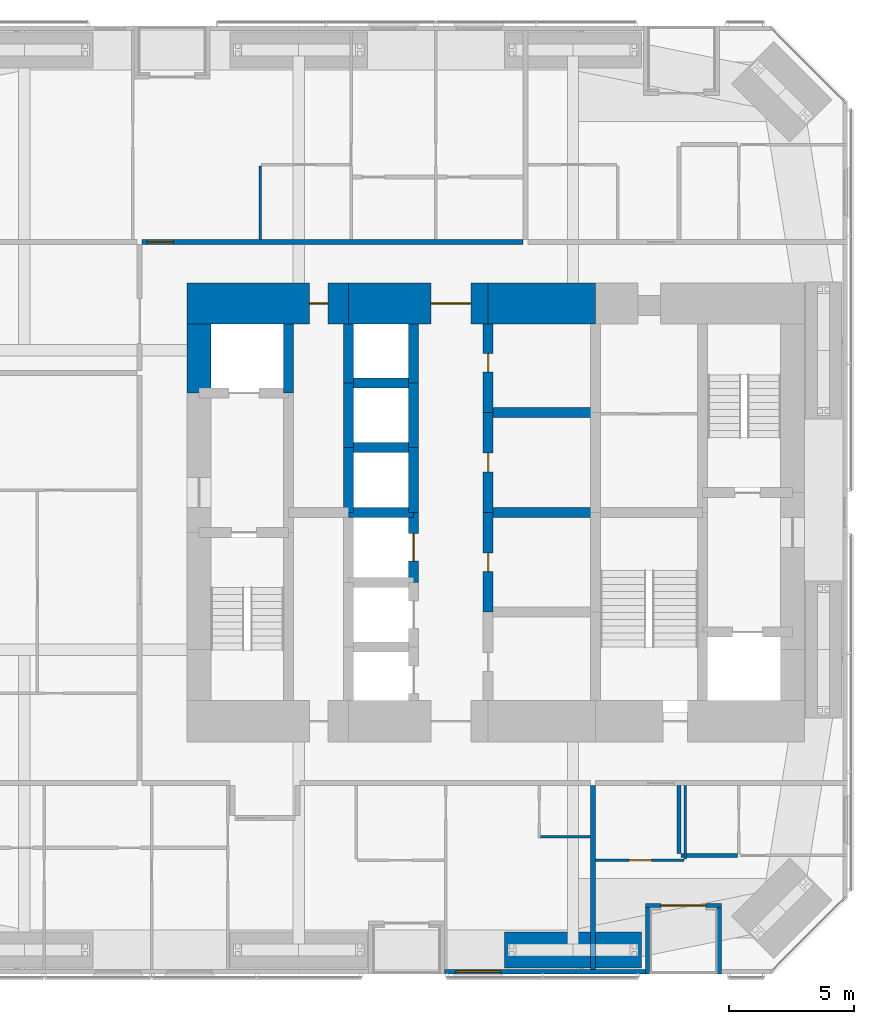
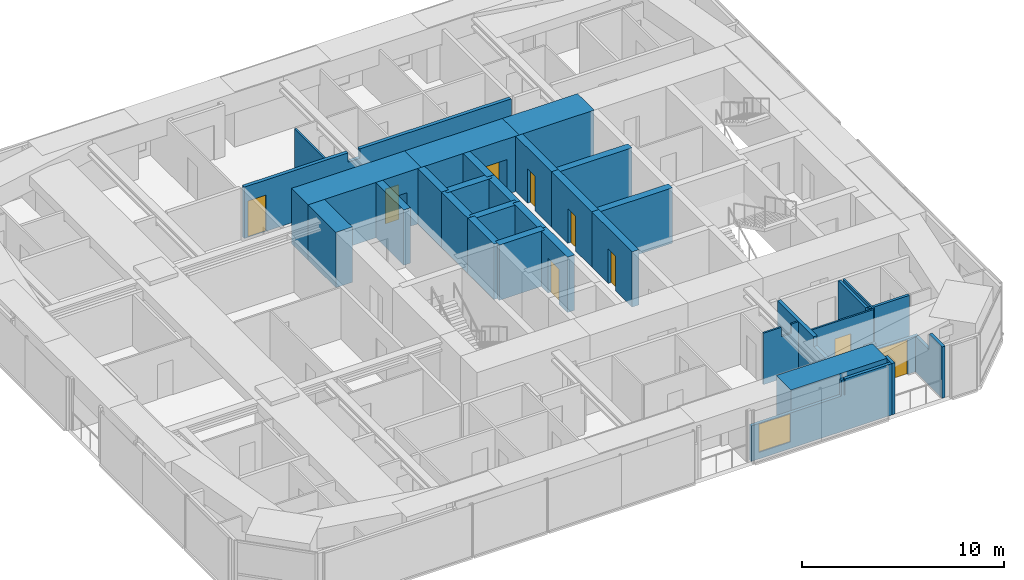
# One storey, part 20 of 24: 34 walls, 9 doors, 1 window, 10 openings.
"""IFC4 building model written with IfcOpenShell, lengths in metres."""

import ifcopenshell
import ifcopenshell.guid

model = None  # the IFC model being written
_history = None  # IfcOwnerHistory: only IFC2X3 demands one
_inside = {}  # id of a spatial element -> (the spatial element, [elements in it])
_under = {}  # id of a project, library or spatial element -> (it, [spatial elements below it])
_declared = {}  # id of a project -> (the project, [libraries it declares])
_typed = {}  # id of a type object -> (the type object, [elements of that type])
_made_of = {}  # id of a material, layer set ... -> (it, [elements and type objects made of it])


def new_model(schema):
    """Start an empty IFC model of exactly this schema.

    Asked for "IFC4X3", IfcOpenShell would pick the latest addendum, in which some entities
    have other attributes; the version numbers below select the first issue.
    IFC2X3 requires an IfcOwnerHistory on every rooted entity: one is made here for all.
    """
    global model, _history
    if schema == "IFC4X3":
        model = ifcopenshell.file(schema_version=(4, 3, 0, 0))
    else:
        model = ifcopenshell.file(schema=schema)
    _inside.clear()
    _under.clear()
    _declared.clear()
    _typed.clear()
    _made_of.clear()
    _history = None
    if model.schema == "IFC2X3":
        org = make("IfcOrganization", Name="unknown")
        user = make(
            "IfcPersonAndOrganization",
            ThePerson=make("IfcPerson", FamilyName="unknown"),
            TheOrganization=org,
        )
        app = make(
            "IfcApplication",
            ApplicationDeveloper=org,
            Version="unknown",
            ApplicationFullName="unknown",
            ApplicationIdentifier="unknown",
        )
        _history = make(
            "IfcOwnerHistory",
            OwningUser=user,
            OwningApplication=app,
            ChangeAction="ADDED",
            CreationDate=0,
        )
    return model


def make(cls, **values):
    """One entity of the class cls with the attributes given. An attribute that is None is left unset."""
    return model.create_entity(
        cls, **{name: value for name, value in values.items() if value is not None}
    )


def rooted(cls, **values):
    """An entity with a GlobalId (a new one), such as an element, a storey or a relation."""
    return make(cls, GlobalId=ifcopenshell.guid.new(), OwnerHistory=_history, **values)


def si_unit(unit_type, name, prefix=None):
    """IfcSIUnit, for example si_unit("LENGTHUNIT", "METRE", prefix="MILLI")."""
    return make("IfcSIUnit", UnitType=unit_type, Prefix=prefix, Name=name)


def assignment(units):
    """IfcUnitAssignment: the units of a project."""
    return None if units is None else make("IfcUnitAssignment", Units=units)


def point(xyz):
    """IfcCartesianPoint."""
    return None if xyz is None else make("IfcCartesianPoint", Coordinates=xyz)


def direction(xyz):
    """IfcDirection."""
    return None if xyz is None else make("IfcDirection", DirectionRatios=xyz)


def frame(location, z_axis=None, x_axis=None):
    """IfcAxis2Placement3D, a coordinate frame: its origin and axes. An axis left out is left unset."""
    return make(
        "IfcAxis2Placement3D",
        Location=point(location),
        Axis=direction(z_axis),
        RefDirection=direction(x_axis),
    )


def frame_2d(location, x_axis=None):
    """IfcAxis2Placement2D, a coordinate frame in the plane: its origin and x axis."""
    return make(
        "IfcAxis2Placement2D", Location=point(location), RefDirection=direction(x_axis)
    )


def origin():
    """The frame at (0, 0, 0) with its axes left unset."""
    return frame((0.0, 0.0, 0.0))


def place(relative_to, where):
    """IfcLocalPlacement: puts the frame where relative to a parent placement (None: the world)."""
    return make(
        "IfcLocalPlacement", PlacementRelTo=relative_to, RelativePlacement=where
    )


def context(
    kind, dimensions, precision=None, world=None, true_north=None, identifier=None
):
    """IfcGeometricRepresentationContext, for example the 3D "Model" context."""
    return make(
        "IfcGeometricRepresentationContext",
        ContextIdentifier=identifier,
        ContextType=kind,
        CoordinateSpaceDimension=dimensions,
        Precision=precision,
        WorldCoordinateSystem=world,
        TrueNorth=true_north,
    )


def subcontext(parent, identifier, kind, view, scale=None):
    """IfcGeometricRepresentationSubContext, for example "Body" below "Model"."""
    return make(
        "IfcGeometricRepresentationSubContext",
        ContextIdentifier=identifier,
        ContextType=kind,
        ParentContext=parent,
        TargetScale=scale,
        TargetView=view,
    )


def project(units=None, contexts=None):
    """IfcProject with its units and contexts."""
    return rooted(
        "IfcProject",
        Name="project",
        RepresentationContexts=contexts,
        UnitsInContext=assignment(units),
    )


def spatial(cls, under=None, at=None, **own):
    """A site, building, storey or space (cls), placed at a placement, below another one or the project."""
    s = rooted(cls, ObjectPlacement=at, **own)
    if under is not None:
        _under.setdefault(under.id(), (under, []))[1].append(s)
    return s


def polyline(points):
    """IfcPolyline through the points."""
    return make("IfcPolyline", Points=[point(p) for p in points])


def profile(cls, at=None, kind="AREA", **sizes):
    """A parametric profile (cls). Its sizes go by their IFC names, for example OverallWidth=200.0."""
    return make(cls, ProfileType=kind, Position=at, **sizes)


def rectangle(**sizes):
    """IfcRectangleProfileDef."""
    return profile("IfcRectangleProfileDef", **sizes)


def outline(outer, holes=None, kind="AREA"):
    """IfcArbitraryClosedProfileDef: a profile drawn as a closed curve; with holes, ...WithVoids."""
    if holes is None:
        return make("IfcArbitraryClosedProfileDef", ProfileType=kind, OuterCurve=outer)
    return make(
        "IfcArbitraryProfileDefWithVoids",
        ProfileType=kind,
        OuterCurve=outer,
        InnerCurves=holes,
    )


def extrude(swept, where, along, depth):
    """IfcExtrudedAreaSolid: the profile swept, set in the frame where, extruded along a direction by depth."""
    return make(
        "IfcExtrudedAreaSolid",
        SweptArea=swept,
        Position=where,
        ExtrudedDirection=direction(along),
        Depth=depth,
    )


def shape(context_of_items, identifier, shape_type, items):
    """IfcShapeRepresentation: the items that make up one representation, for example the "Body"."""
    return make(
        "IfcShapeRepresentation",
        ContextOfItems=context_of_items,
        RepresentationIdentifier=identifier,
        RepresentationType=shape_type,
        Items=items,
    )


def material(Name=None, Category=None):
    """IfcMaterial."""
    return make("IfcMaterial", Name=Name, Category=Category)


def layer(
    of_material, thickness, ventilated=None, Name=None, Category=None, Priority=None
):
    """IfcMaterialLayer: one layer of a wall or slab, of a material (None: an air gap)."""
    return make(
        "IfcMaterialLayer",
        Material=of_material,
        LayerThickness=thickness,
        IsVentilated=ventilated,
        Name=Name,
        Category=Category,
        Priority=Priority,
    )


def layer_set(layers, Name=None):
    """IfcMaterialLayerSet."""
    return make("IfcMaterialLayerSet", MaterialLayers=layers, LayerSetName=Name)


def constituent(of_material, Name=None, Category=None, fraction=None):
    """IfcMaterialConstituent: one of the materials an element consists of."""
    return make(
        "IfcMaterialConstituent",
        Name=Name,
        Material=of_material,
        Fraction=fraction,
        Category=Category,
    )


def constituent_set(constituents=None, Name=None):
    """IfcMaterialConstituentSet."""
    return make(
        "IfcMaterialConstituentSet", Name=Name, MaterialConstituents=constituents
    )


def made_of(thing, what):
    """Note that an element or type object is made of a material, layer set ...; save() writes the relation."""
    if what is not None:
        _made_of.setdefault(what.id(), (what, []))[1].append(thing)
    return thing


def type_object(cls, material=None, **own):
    """A type object (cls), such as IfcWallType, which elements share."""
    return made_of(rooted(cls, **own), material)


def element(
    cls,
    number,
    at=None,
    inside=None,
    cuts=None,
    type_object=None,
    material=None,
    context=None,
    identifier="Body",
    shape_type=None,
    held_by="IfcProductDefinitionShape",
    body=None,
    shapes=None,
    **own,
):
    """One element of the class cls, such as IfcWall. Its Tag is "e" and its number.

    at: its placement. inside: the storey or other place that contains it. cuts: it is an
    opening in that element (IfcRelVoidsElement). A single representation is given by context,
    identifier, shape_type and body (its items); several are given by shapes. held_by: the class
    of the entity that holds the representations. save() writes the other relations.
    """
    e = rooted(cls, Tag="e%d" % number, ObjectPlacement=at, **own)
    if body is not None:
        shapes = [shape(context, identifier, shape_type, body)]
    if shapes is not None:
        e.Representation = make(held_by, Representations=shapes)
    if inside is not None:
        _inside.setdefault(inside.id(), (inside, []))[1].append(e)
    if cuts is not None:
        rooted(
            "IfcRelVoidsElement", RelatingBuildingElement=cuts, RelatedOpeningElement=e
        )
    if type_object is not None:
        _typed.setdefault(type_object.id(), (type_object, []))[1].append(e)
    return made_of(e, material)


def fill(opening, filler):
    """IfcRelFillsElement: the door or window that sits in an opening."""
    return rooted(
        "IfcRelFillsElement",
        RelatingOpeningElement=opening,
        RelatedBuildingElement=filler,
    )


def aggregate(whole, parts):
    """IfcRelAggregates: a whole, such as a stair, and the parts it consists of."""
    return rooted("IfcRelAggregates", RelatingObject=whole, RelatedObjects=parts)


def save(model, path):
    """Write the relations noted so far, then the file.

    IfcRelAggregates (storeys below a building ...), IfcRelContainedInSpatialStructure (elements
    in a storey), IfcRelDefinesByType, IfcRelAssociatesMaterial and IfcRelDeclares: one each for
    every whole, place, type object, material and project.
    """
    for whole, parts in _under.values():
        aggregate(whole, parts)
    for where, things in _inside.values():
        rooted(
            "IfcRelContainedInSpatialStructure",
            RelatedElements=things,
            RelatingStructure=where,
        )
    for kind, things in _typed.values():
        rooted("IfcRelDefinesByType", RelatedObjects=things, RelatingType=kind)
    for what, things in _made_of.values():
        rooted("IfcRelAssociatesMaterial", RelatedObjects=things, RelatingMaterial=what)
    for by, libraries in _declared.values():
        rooted("IfcRelDeclares", RelatingContext=by, RelatedDefinitions=libraries)
    model.write(path)


model = new_model("IFC4")

# Units and contexts
model_context = context("Model", 3, precision=1e-05, world=origin(), true_north=direction((0.0, 1.0)))
body_context = subcontext(model_context, "Body", "Model", "MODEL_VIEW")
ifc_project = project(units=[si_unit("LENGTHUNIT", "METRE"), si_unit("AREAUNIT", "SQUARE_METRE"), si_unit("VOLUMEUNIT", "CUBIC_METRE"), si_unit("PLANEANGLEUNIT", "RADIAN"), si_unit("MASSUNIT", "GRAM", prefix="KILO")], contexts=[model_context])

# Site, building, storey
site_placement = place(None, origin())
site = spatial("IfcSite", under=ifc_project, at=site_placement, CompositionType="ELEMENT")
building_placement = place(site_placement, origin())
building = spatial("IfcBuilding", under=site, at=building_placement, Name="Jalousie Tower", CompositionType="ELEMENT")
storey_placement = place(building_placement, frame((0.0, 0.0, 54.5)))
storey = spatial("IfcBuildingStorey", under=building, at=storey_placement, Name="L14", CompositionType="ELEMENT", Elevation=54.5)

# Walls
ifc_material_1 = material(Name="Concrete block ASTM C90", Category="concrete")
ifc_constituent_1 = constituent(ifc_material_1, Name="Body")
ifc_material_2 = material(Name="Render")
ifc_constituent_2 = constituent(ifc_material_2, Name="Finish")
ifc_constituent_set_1 = constituent_set(constituents=[ifc_constituent_1, ifc_constituent_2])
wall_type_1 = type_object("IfcWallType", Name="BATHROOM WALL 150", PredefinedType="PLUMBINGWALL", material=ifc_constituent_set_1)
wall_1_placement = place(storey_placement, frame((39.324951171875, 4.74658203125, 0.0), z_axis=(0.0, 0.0, 1.0), x_axis=(1.0, 0.0, 0.0)))
element("IfcWall", 1, at=wall_1_placement, inside=storey, type_object=wall_type_1, Name="Bathroom Wall 150 L14", PredefinedType="PLUMBINGWALL", context=body_context, shape_type="SweptSolid", body=[
    extrude(rectangle(XDim=2.275146484375, YDim=0.14990234375, at=frame_2d((1.1376953125, 0.0))), origin(), (0.0, 0.0, 1.0), 3.110107421875),
])
wall_2_placement = place(storey_placement, frame((39.25, 4.82177734375, 0.0), z_axis=(0.0, 0.0, 1.0), x_axis=(0.0, 1.0, 0.0)))
element("IfcWall", 2, at=wall_2_placement, inside=storey, type_object=wall_type_1, Name="Bathroom Wall 150 L14", PredefinedType="PLUMBINGWALL", context=body_context, shape_type="SweptSolid", body=[
    extrude(rectangle(XDim=2.728271484375, YDim=0.14990234375, at=frame_2d((1.3642578125, 0.0))), origin(), (0.0, 0.0, 1.0), 3.110107421875),
])
ifc_material_3 = material(Name="Concrete f'c 120 MPa", Category="concrete")
ifc_layer_1 = layer(ifc_material_3, 1.64990234375)
ifc_layer_set_1 = layer_set([ifc_layer_1], Name="Concrete f'c 120 MPa")
wall_type_2 = type_object("IfcWallType", Name="CORE WALL 1650", PredefinedType="SHEAR", material=ifc_layer_set_1)
wall_3_placement = place(storey_placement, frame((35.89990234375, 26.875, 0.0), z_axis=(0.0, 0.0, 1.0), x_axis=(-1.0, 0.0, 0.0)))
element("IfcWall", 3, at=wall_3_placement, inside=storey, type_object=wall_type_2, Name="Core wall NB L14", PredefinedType="SHEAR", context=body_context, shape_type="SweptSolid", body=[
    extrude(rectangle(XDim=4.2998046875, YDim=1.64990234375, at=frame_2d((2.14990234375, 0.0))), origin(), (0.0, 0.0, 1.0), 3.35009765625),
])

# Wall, opening, door
wall_4_placement = place(storey_placement, frame((31.60009765625, 26.875, 0.0), z_axis=(0.0, 0.0, 1.0), x_axis=(-1.0, 0.0, 0.0)))
wall_4 = element("IfcWall", 4, at=wall_4_placement, inside=storey, type_object=wall_type_2, Name="Core wall NC L14", PredefinedType="SHEAR", context=body_context, shape_type="SweptSolid", body=[
    extrude(rectangle(XDim=5.60009765625, YDim=1.64990234375, at=frame_2d((2.800048828125, 0.0))), origin(), (0.0, 0.0, 1.0), 3.35009765625),
])
opening_1_placement = place(wall_4_placement, frame((0.699951171875, 0.0, 0.0)))
opening_1 = element("IfcOpeningElement", 5, at=opening_1_placement, cuts=wall_4, Name="Opening D15", PredefinedType="OPENING", context=body_context, shape_type="SweptSolid", body=[
    extrude(rectangle(XDim=1.60009765625, YDim=2.10009765625, at=frame_2d((0.800048828125, 1.050048828125))), frame((0.0, 0.8349609375, 0.0), z_axis=(0.0, -1.0, 0.0), x_axis=(1.0, 0.0, 0.0)), (0.0, 0.0, 1.0), 1.669921875),
])
ifc_material_4 = material(Name="Steel fire door", Category="steel")
door_type_1 = type_object("IfcDoorType", Name="LIFT LOBBY DOOR 1600", OperationType="DOUBLE_DOOR_SINGLE_SWING", PredefinedType="DOOR", material=ifc_material_4)
door_1_placement = place(opening_1_placement, origin())
door_1 = element("IfcDoor", 6, at=door_1_placement, inside=storey, type_object=door_type_1, Name="Lift lobby north door", OperationType="DOUBLE_DOOR_SINGLE_SWING", OverallHeight=2.10009765625, OverallWidth=1.60009765625, PredefinedType="DOOR", context=body_context, shape_type="SweptSolid", body=[
    extrude(rectangle(XDim=1.60009765625, YDim=2.10009765625, at=frame_2d((0.800048828125, 1.050048828125))), frame((0.0, 0.02490234375, 0.0), z_axis=(0.0, -1.0, 0.0), x_axis=(1.0, 0.0, 0.0)), (0.0, 0.0, 1.0), 0.050048828125),
])
fill(opening_1, door_1)

wall_5_placement = place(storey_placement, frame((26.0, 26.875, 0.0), z_axis=(0.0, 0.0, 1.0), x_axis=(-1.0, 0.0, 0.0)))
wall_5 = element("IfcWall", 7, at=wall_5_placement, inside=storey, type_object=wall_type_2, Name="Core wall ND L14", PredefinedType="SHEAR", context=body_context, shape_type="SweptSolid", body=[
    extrude(rectangle(XDim=6.47509765625, YDim=1.64990234375, at=frame_2d((3.237548828125, 0.0))), origin(), (0.0, 0.0, 1.0), 3.35009765625),
])
opening_2_placement = place(wall_5_placement, frame((0.824951171875, 0.0, 0.0)))
opening_2 = element("IfcOpeningElement", 8, at=opening_2_placement, cuts=wall_5, Name="Opening D16", PredefinedType="OPENING", context=body_context, shape_type="SweptSolid", body=[
    extrude(rectangle(XDim=0.75, YDim=2.10009765625, at=frame_2d((0.375, 1.050048828125))), frame((0.0, 0.8349609375, 0.0), z_axis=(0.0, -1.0, 0.0), x_axis=(1.0, 0.0, 0.0)), (0.0, 0.0, 1.0), 1.669921875),
])
ifc_material_5 = material(Name="Steel fire door", Category="steel")
door_type_2 = type_object("IfcDoorType", Name="RISER DOOR 750", OperationType="SINGLE_SWING_LEFT", PredefinedType="DOOR", material=ifc_material_5)
door_2_placement = place(opening_2_placement, origin())
door_2 = element("IfcDoor", 9, at=door_2_placement, inside=storey, type_object=door_type_2, Name="North riser door", OperationType="SINGLE_SWING_RIGHT", OverallHeight=2.10009765625, OverallWidth=0.75, PredefinedType="DOOR", context=body_context, shape_type="SweptSolid", body=[
    extrude(rectangle(XDim=0.75, YDim=2.10009765625, at=frame_2d((0.375, 1.050048828125))), frame((0.0, 0.02490234375, 0.0), z_axis=(0.0, -1.0, 0.0), x_axis=(1.0, 0.0, 0.0)), (0.0, 0.0, 1.0), 0.050048828125),
])
fill(opening_2, door_2)

# Walls
ifc_material_6 = material(Name="Concrete f'c 120 MPa", Category="concrete")
ifc_layer_2 = layer(ifc_material_6, 0.39990234375)
ifc_layer_set_2 = layer_set([ifc_layer_2], Name="Concrete f'c 120 MPa")
wall_type_3 = type_object("IfcWallType", Name="CORE WALL 400", PredefinedType="SHEAR", material=ifc_layer_set_2)
wall_6_placement = place(storey_placement, frame((23.60009765625, 23.300048828125, 0.0), z_axis=(0.0, 0.0, 1.0), x_axis=(0.0, 1.0, 0.0)))
element("IfcWall", 10, at=wall_6_placement, inside=storey, type_object=wall_type_3, Name="Core wall X23.6C L14", PredefinedType="SHEAR", context=body_context, shape_type="SweptSolid", body=[
    extrude(rectangle(XDim=2.75, YDim=0.39990234375, at=frame_2d((1.375, 0.0))), origin(), (0.0, 0.0, 1.0), 3.35009765625),
])
wall_7_placement = place(storey_placement, frame((26.0, 18.5, 0.0), z_axis=(0.0, 0.0, 1.0), x_axis=(0.0, 1.0, 0.0)))
element("IfcWall", 11, at=wall_7_placement, inside=storey, type_object=wall_type_3, Name="Core wall X26D L14", PredefinedType="SHEAR", context=body_context, shape_type="SweptSolid", body=[
    extrude(rectangle(XDim=2.60009765625, YDim=0.39990234375, at=frame_2d((1.300048828125, 0.0))), origin(), (0.0, 0.0, 1.0), 3.35009765625),
])
wall_8_placement = place(storey_placement, frame((26.0, 21.10009765625, 0.0), z_axis=(0.0, 0.0, 1.0), x_axis=(0.0, 1.0, 0.0)))
element("IfcWall", 12, at=wall_8_placement, inside=storey, type_object=wall_type_3, Name="Core wall X26E L14", PredefinedType="SHEAR", context=body_context, shape_type="SweptSolid", body=[
    extrude(rectangle(XDim=2.599853515625, YDim=0.39990234375, at=frame_2d((1.2998046875, 0.0))), origin(), (0.0, 0.0, 1.0), 3.35009765625),
])
wall_9_placement = place(storey_placement, frame((26.0, 23.699951171875, 0.0), z_axis=(0.0, 0.0, 1.0), x_axis=(0.0, 1.0, 0.0)))
element("IfcWall", 13, at=wall_9_placement, inside=storey, type_object=wall_type_3, Name="Core wall X26F L14", PredefinedType="SHEAR", context=body_context, shape_type="SweptSolid", body=[
    extrude(rectangle(XDim=2.35009765625, YDim=0.39990234375, at=frame_2d((1.175048828125, 0.0))), origin(), (0.0, 0.0, 1.0), 3.35009765625),
])

# Wall, opening, door
wall_10_placement = place(storey_placement, frame((28.60009765625, 15.699951171875, 0.0), z_axis=(0.0, 0.0, 1.0), x_axis=(0.0, 1.0, 0.0)))
wall_10 = element("IfcWall", 14, at=wall_10_placement, inside=storey, type_object=wall_type_3, Name="Core wall X28.6C L14", PredefinedType="SHEAR", context=body_context, shape_type="SweptSolid", body=[
    extrude(rectangle(XDim=2.800048828125, YDim=0.39990234375, at=frame_2d((1.39990234375, 0.0))), origin(), (0.0, 0.0, 1.0), 3.35009765625),
])
opening_3_placement = place(wall_10_placement, frame((0.85009765625, 0.0, 0.0)))
opening_3 = element("IfcOpeningElement", 15, at=opening_3_placement, cuts=wall_10, Name="Opening LD1", PredefinedType="OPENING", context=body_context, shape_type="SweptSolid", body=[
    extrude(rectangle(XDim=1.10009765625, YDim=2.10009765625, at=frame_2d((0.550048828125, 1.050048828125))), frame((0.0, 0.2099609375, 0.0), z_axis=(0.0, -1.0, 0.0), x_axis=(1.0, 0.0, 0.0)), (0.0, 0.0, 1.0), 0.419921875),
])
ifc_material_7 = material(Name="Steel lift landing door", Category="steel")
door_type_3 = type_object("IfcDoorType", Name="LIFT LANDING DOOR 1100", OperationType="SLIDING_TO_LEFT", PredefinedType="DOOR", material=ifc_material_7)
door_3_placement = place(opening_3_placement, origin())
door_3 = element("IfcDoor", 16, at=door_3_placement, inside=storey, type_object=door_type_3, Name="Lift P3 landing door", OperationType="SLIDING_TO_LEFT", OverallHeight=2.10009765625, OverallWidth=1.10009765625, PredefinedType="DOOR", context=body_context, shape_type="SweptSolid", body=[
    extrude(rectangle(XDim=1.10009765625, YDim=2.10009765625, at=frame_2d((0.550048828125, 1.050048828125))), frame((0.0, 0.02490234375, 0.0), z_axis=(0.0, -1.0, 0.0), x_axis=(1.0, 0.0, 0.0)), (0.0, 0.0, 1.0), 0.050048828125),
])
fill(opening_3, door_3)

# Walls
wall_11_placement = place(storey_placement, frame((28.60009765625, 18.5, 0.0), z_axis=(0.0, 0.0, 1.0), x_axis=(0.0, 1.0, 0.0)))
element("IfcWall", 17, at=wall_11_placement, inside=storey, type_object=wall_type_3, Name="Core wall X28.6D L14", PredefinedType="SHEAR", context=body_context, shape_type="SweptSolid", body=[
    extrude(rectangle(XDim=2.60009765625, YDim=0.39990234375, at=frame_2d((1.300048828125, 0.0))), origin(), (0.0, 0.0, 1.0), 3.35009765625),
])
wall_12_placement = place(storey_placement, frame((28.60009765625, 21.10009765625, 0.0), z_axis=(0.0, 0.0, 1.0), x_axis=(0.0, 1.0, 0.0)))
element("IfcWall", 18, at=wall_12_placement, inside=storey, type_object=wall_type_3, Name="Core wall X28.6E L14", PredefinedType="SHEAR", context=body_context, shape_type="SweptSolid", body=[
    extrude(rectangle(XDim=2.599853515625, YDim=0.39990234375, at=frame_2d((1.2998046875, 0.0))), origin(), (0.0, 0.0, 1.0), 3.35009765625),
])
wall_13_placement = place(storey_placement, frame((28.60009765625, 23.699951171875, 0.0), z_axis=(0.0, 0.0, 1.0), x_axis=(0.0, 1.0, 0.0)))
element("IfcWall", 19, at=wall_13_placement, inside=storey, type_object=wall_type_3, Name="Core wall X28.6F L14", PredefinedType="SHEAR", context=body_context, shape_type="SweptSolid", body=[
    extrude(rectangle(XDim=2.35009765625, YDim=0.39990234375, at=frame_2d((1.175048828125, 0.0))), origin(), (0.0, 0.0, 1.0), 3.35009765625),
])

# Wall, opening, door
wall_14_placement = place(storey_placement, frame((31.60009765625, 14.5, 0.0), z_axis=(0.0, 0.0, 1.0), x_axis=(0.0, 1.0, 0.0)))
wall_14 = element("IfcWall", 20, at=wall_14_placement, inside=storey, type_object=wall_type_3, Name="Core wall X31.6B L14", PredefinedType="SHEAR", context=body_context, shape_type="SweptSolid", body=[
    extrude(rectangle(XDim=4.0, YDim=0.39990234375, at=frame_2d((2.0, 0.0))), origin(), (0.0, 0.0, 1.0), 3.35009765625),
])
opening_4_placement = place(wall_14_placement, frame((1.625, 0.0, 0.0)))
opening_4 = element("IfcOpeningElement", 21, at=opening_4_placement, cuts=wall_14, Name="Opening D16", PredefinedType="OPENING", context=body_context, shape_type="SweptSolid", body=[
    extrude(rectangle(XDim=0.75, YDim=2.10009765625, at=frame_2d((0.375, 1.050048828125))), frame((0.0, 0.2099609375, 0.0), z_axis=(0.0, -1.0, 0.0), x_axis=(1.0, 0.0, 0.0)), (0.0, 0.0, 1.0), 0.419921875),
])
door_4_placement = place(opening_4_placement, frame((0.75, 0.0, 0.0), z_axis=(0.0, 0.0, 1.0), x_axis=(-1.0, 0.0, 0.0)))
door_4 = element("IfcDoor", 22, at=door_4_placement, inside=storey, type_object=door_type_2, Name="Electrical Room door", OperationType="SINGLE_SWING_LEFT", OverallHeight=2.10009765625, OverallWidth=0.75, PredefinedType="DOOR", context=body_context, shape_type="SweptSolid", body=[
    extrude(rectangle(XDim=0.75, YDim=2.10009765625, at=frame_2d((0.375, 1.050048828125))), frame((0.0, 0.02490234375, 0.0), z_axis=(0.0, -1.0, 0.0), x_axis=(1.0, 0.0, 0.0)), (0.0, 0.0, 1.0), 0.050048828125),
])
fill(opening_4, door_4)

wall_15_placement = place(storey_placement, frame((31.60009765625, 18.5, 0.0), z_axis=(0.0, 0.0, 1.0), x_axis=(0.0, 1.0, 0.0)))
wall_15 = element("IfcWall", 23, at=wall_15_placement, inside=storey, type_object=wall_type_3, Name="Core wall X31.6C L14", PredefinedType="SHEAR", context=body_context, shape_type="SweptSolid", body=[
    extrude(rectangle(XDim=4.0, YDim=0.39990234375, at=frame_2d((2.0, 0.0))), origin(), (0.0, 0.0, 1.0), 3.35009765625),
])
opening_5_placement = place(wall_15_placement, frame((1.625, 0.0, 0.0)))
opening_5 = element("IfcOpeningElement", 24, at=opening_5_placement, cuts=wall_15, Name="Opening D16", PredefinedType="OPENING", context=body_context, shape_type="SweptSolid", body=[
    extrude(rectangle(XDim=0.75, YDim=2.10009765625, at=frame_2d((0.375, 1.050048828125))), frame((0.0, 0.2099609375, 0.0), z_axis=(0.0, -1.0, 0.0), x_axis=(1.0, 0.0, 0.0)), (0.0, 0.0, 1.0), 0.419921875),
])
door_5_placement = place(opening_5_placement, frame((0.75, 0.0, 0.0), z_axis=(0.0, 0.0, 1.0), x_axis=(-1.0, 0.0, 0.0)))
door_5 = element("IfcDoor", 25, at=door_5_placement, inside=storey, type_object=door_type_2, Name="Telecom Room door", OperationType="SINGLE_SWING_LEFT", OverallHeight=2.10009765625, OverallWidth=0.75, PredefinedType="DOOR", context=body_context, shape_type="SweptSolid", body=[
    extrude(rectangle(XDim=0.75, YDim=2.10009765625, at=frame_2d((0.375, 1.050048828125))), frame((0.0, 0.02490234375, 0.0), z_axis=(0.0, -1.0, 0.0), x_axis=(1.0, 0.0, 0.0)), (0.0, 0.0, 1.0), 0.050048828125),
])
fill(opening_5, door_5)

wall_16_placement = place(storey_placement, frame((31.60009765625, 22.5, 0.0), z_axis=(0.0, 0.0, 1.0), x_axis=(0.0, 1.0, 0.0)))
wall_16 = element("IfcWall", 26, at=wall_16_placement, inside=storey, type_object=wall_type_3, Name="Core wall X31.6D L14", PredefinedType="SHEAR", context=body_context, shape_type="SweptSolid", body=[
    extrude(rectangle(XDim=3.550048828125, YDim=0.39990234375, at=frame_2d((1.77490234375, 0.0))), origin(), (0.0, 0.0, 1.0), 3.35009765625),
])
opening_6_placement = place(wall_16_placement, frame((1.625, 0.0, 0.0)))
opening_6 = element("IfcOpeningElement", 27, at=opening_6_placement, cuts=wall_16, Name="Opening D16", PredefinedType="OPENING", context=body_context, shape_type="SweptSolid", body=[
    extrude(rectangle(XDim=0.75, YDim=2.10009765625, at=frame_2d((0.375, 1.050048828125))), frame((0.0, 0.2099609375, 0.0), z_axis=(0.0, -1.0, 0.0), x_axis=(1.0, 0.0, 0.0)), (0.0, 0.0, 1.0), 0.419921875),
])
door_6_placement = place(opening_6_placement, frame((0.75, 0.0, 0.0), z_axis=(0.0, 0.0, 1.0), x_axis=(-1.0, 0.0, 0.0)))
door_6 = element("IfcDoor", 28, at=door_6_placement, inside=storey, type_object=door_type_2, Name="Water Services Room door", OperationType="SINGLE_SWING_LEFT", OverallHeight=2.10009765625, OverallWidth=0.75, PredefinedType="DOOR", context=body_context, shape_type="SweptSolid", body=[
    extrude(rectangle(XDim=0.75, YDim=2.10009765625, at=frame_2d((0.375, 1.050048828125))), frame((0.0, 0.02490234375, 0.0), z_axis=(0.0, -1.0, 0.0), x_axis=(1.0, 0.0, 0.0)), (0.0, 0.0, 1.0), 0.050048828125),
])
fill(opening_6, door_6)

# Walls
for number, where, z_axis, x_axis, name in (
    (29, (26.0, 18.5, 0.0), (0.0, 0.0, 1.0), (1.0, 0.0, 0.0), "Core wall Y26-18.5 L14"),
    (30, (26.0, 21.10009765625, 0.0), (0.0, 0.0, 1.0), (1.0, 0.0, 0.0), "Core wall Y26-21.1 L14"),
    (31, (26.0, 23.699951171875, 0.0), (0.0, 0.0, 1.0), (1.0, 0.0, 0.0), "Core wall Y26-23.7 L14"),
):
    element("IfcWall", number, at=place(storey_placement, frame(where, z_axis=z_axis, x_axis=x_axis)), inside=storey, type_object=wall_type_3, Name=name, PredefinedType="SHEAR", context=body_context, shape_type="SweptSolid", body=[
        extrude(rectangle(XDim=2.60009765625, YDim=0.39990234375, at=frame_2d((1.300048828125, 0.0))), origin(), (0.0, 0.0, 1.0), 3.35009765625),
    ])
for number, where, z_axis, x_axis, name in (
    (32, (31.60009765625, 18.5, 0.0), (0.0, 0.0, 1.0), (1.0, 0.0, 0.0), "Core wall Y31.6-18.5 L14"),
    (33, (31.60009765625, 22.5, 0.0), (0.0, 0.0, 1.0), (1.0, 0.0, 0.0), "Core wall Y31.6-22.5 L14"),
):
    element("IfcWall", number, at=place(storey_placement, frame(where, z_axis=z_axis, x_axis=x_axis)), inside=storey, type_object=wall_type_3, Name=name, PredefinedType="SHEAR", context=body_context, shape_type="SweptSolid", body=[
        extrude(rectangle(XDim=4.2998046875, YDim=0.39990234375, at=frame_2d((2.14990234375, 0.0))), origin(), (0.0, 0.0, 1.0), 3.35009765625),
    ])
ifc_material_8 = material(Name="Concrete f'c 120 MPa", Category="concrete")
ifc_layer_3 = layer(ifc_material_8, 0.949951171875)
ifc_layer_set_3 = layer_set([ifc_layer_3], Name="Concrete f'c 120 MPa")
wall_type_4 = type_object("IfcWallType", Name="CORE WALL 950", PredefinedType="SHEAR", material=ifc_layer_set_3)
wall_17_placement = place(storey_placement, frame((20.0, 26.050048828125, 0.0), z_axis=(0.0, 0.0, 1.0), x_axis=(0.0, -1.0, 0.0)))
element("IfcWall", 34, at=wall_17_placement, inside=storey, type_object=wall_type_4, Name="Core wall WA L14", PredefinedType="SHEAR", context=body_context, shape_type="SweptSolid", body=[
    extrude(rectangle(XDim=2.75, YDim=0.949951171875, at=frame_2d((1.375, 0.0))), origin(), (0.0, 0.0, 1.0), 3.35009765625),
])

# Wall, opening, door
ifc_material_9 = material(Name="Concrete block ASTM C90", Category="concrete")
ifc_constituent_3 = constituent(ifc_material_9, Name="Body")
ifc_material_10 = material(Name="Render")
ifc_constituent_4 = constituent(ifc_material_10, Name="Finish")
ifc_constituent_set_2 = constituent_set(constituents=[ifc_constituent_3, ifc_constituent_4])
wall_type_5 = type_object("IfcWallType", Name="CORRIDOR WALL 200", PredefinedType="PARTITIONING", material=ifc_constituent_set_2)
wall_18_placement = place(storey_placement, frame((17.72509765625, 29.35009765625, 0.0), z_axis=(0.0, 0.0, 1.0), x_axis=(1.0, 0.0, 0.0)))
wall_18 = element("IfcWall", 35, at=wall_18_placement, inside=storey, type_object=wall_type_5, Name="Corridor Wall 200 L14", PredefinedType="PARTITIONING", context=body_context, shape_type="SweptSolid", body=[
    extrude(outline(polyline([(0.0, 0.0), (15.27490234375, 0.0), (15.27490234375, 3.110107421875), (6.6123046875, 3.110107421875), (6.6123046875, 2.541015625), (5.9375, 2.541015625), (5.9375, 3.110107421875), (0.0, 3.110107421875), (0.0, 0.0)])), frame((0.0, 0.10009765625, 0.0), z_axis=(0.0, -1.0, 0.0), x_axis=(1.0, 0.0, 0.0)), (0.0, 0.0, 1.0), 0.199951171875),
])
opening_7_placement = place(wall_18_placement, frame((0.199951171875, 0.0, 0.0)))
opening_7 = element("IfcOpeningElement", 36, at=opening_7_placement, cuts=wall_18, Name="Opening D1", PredefinedType="OPENING", context=body_context, shape_type="SweptSolid", body=[
    extrude(rectangle(XDim=1.050048828125, YDim=2.199951171875, at=frame_2d((0.52490234375, 1.10009765625))), frame((0.0, 0.10986328125, 0.0), z_axis=(0.0, -1.0, 0.0), x_axis=(1.0, 0.0, 0.0)), (0.0, 0.0, 1.0), 0.219970703125),
])
ifc_material_11 = material(Name="Timber fire door", Category="wood")
door_type_4 = type_object("IfcDoorType", Name="APARTMENT ENTRANCE DOOR 1050", OperationType="SINGLE_SWING_LEFT", PredefinedType="DOOR", material=ifc_material_11)
door_7_placement = place(opening_7_placement, origin())
door_7 = element("IfcDoor", 37, at=door_7_placement, inside=storey, type_object=door_type_4, Name="Apartment 1403 entrance", OperationType="SINGLE_SWING_LEFT", OverallHeight=2.199951171875, OverallWidth=1.050048828125, PredefinedType="DOOR", context=body_context, shape_type="SweptSolid", body=[
    extrude(rectangle(XDim=1.050048828125, YDim=2.199951171875, at=frame_2d((0.52490234375, 1.10009765625))), frame((0.0, 0.02490234375, 0.0), z_axis=(0.0, -1.0, 0.0), x_axis=(1.0, 0.0, 0.0)), (0.0, 0.0, 1.0), 0.050048828125),
])
fill(opening_7, door_7)

# Wall, opening, window
ifc_material_12 = material(Name="Concrete f'c 40 MPa", Category="concrete")
ifc_constituent_5 = constituent(ifc_material_12, Name="Body")
ifc_material_13 = material(Name="Render, pastel coral")
ifc_constituent_6 = constituent(ifc_material_13, Name="Finish")
ifc_constituent_set_3 = constituent_set(constituents=[ifc_constituent_5, ifc_constituent_6])
wall_type_6 = type_object("IfcWallType", Name="EXTERNAL WALL 175 CORAL RENDER", PredefinedType="SOLIDWALL", material=ifc_constituent_set_3)
wall_19_placement = place(storey_placement, frame((29.85009765625, 0.08740234375, 0.0), z_axis=(0.0, 0.0, 1.0), x_axis=(1.0, 0.0, 0.0)))
wall_19 = element("IfcWall", 38, at=wall_19_placement, inside=storey, type_object=wall_type_6, Name="External Wall 175 Coral Render L14", PredefinedType="SOLIDWALL", context=body_context, shape_type="SweptSolid", body=[
    extrude(outline(polyline([(0.0, 0.0), (8.0498046875, 0.0), (8.050048828125, 3.110107421875), (5.35400390625, 3.110107421875), (5.35400390625, 2.14990234375), (5.3056640625, 2.14990234375), (5.3056640625, 3.110107421875), (5.14990234375, 3.110107421875), (5.14990234375, 2.14990234375), (0.0, 2.14990234375), (0.0, 0.0)])), frame((0.0, 0.08740234375, 0.0), z_axis=(0.0, -1.0, 0.0), x_axis=(1.0, 0.0, 0.0)), (0.0, 0.0, 1.0), 0.175048828125),
])
opening_8_placement = place(wall_19_placement, frame((0.449951171875, 0.0, 0.39990234375)))
opening_8 = element("IfcOpeningElement", 39, at=opening_8_placement, cuts=wall_19, Name="Opening W-BED170", PredefinedType="OPENING", context=body_context, shape_type="SweptSolid", body=[
    extrude(rectangle(XDim=1.800048828125, YDim=1.699951171875, at=frame_2d((0.89990234375, 0.85009765625))), frame((0.0, 0.097412109375, 0.0), z_axis=(0.0, -1.0, 0.0), x_axis=(1.0, 0.0, 0.0)), (0.0, 0.0, 1.0), 0.195068359375),
])
ifc_material_14 = material(Name="Aluminium frame, impact-rated glazing", Category="aluminium")
window_type = type_object("IfcWindowType", Name="WINDOW BED 1800x1700", PartitioningType="SINGLE_PANEL", PredefinedType="WINDOW", material=ifc_material_14)
window_placement = place(opening_8_placement, origin())
window = element("IfcWindow", 40, at=window_placement, inside=storey, type_object=window_type, Name="Apartment 1401 study window", OverallHeight=1.699951171875, OverallWidth=1.800048828125, PartitioningType="SINGLE_PANEL", PredefinedType="WINDOW", context=body_context, shape_type="SweptSolid", body=[
    extrude(rectangle(XDim=1.800048828125, YDim=1.699951171875, at=frame_2d((0.89990234375, 0.85009765625))), frame((0.0, 0.030029296875, 0.0), z_axis=(0.0, -1.0, 0.0), x_axis=(1.0, 0.0, 0.0)), (0.0, 0.0, 1.0), 0.06005859375),
])
fill(opening_8, window)

# Wall
wall_20_placement = place(storey_placement, frame((37.89990234375, 2.737548828125, 0.0), z_axis=(0.0, 0.0, 1.0), x_axis=(1.0, 0.0, 0.0)))
element("IfcWall", 41, at=wall_20_placement, inside=storey, type_object=wall_type_6, Name="External Wall 175 Coral Render L14-A", PredefinedType="SOLIDWALL", context=body_context, shape_type="SweptSolid", body=[
    extrude(rectangle(XDim=0.625, YDim=0.175048828125, at=frame_2d((0.3125, 0.0))), origin(), (0.0, 0.0, 1.0), 2.510009765625),
])

# Wall, opening, door
wall_21_placement = place(storey_placement, frame((38.52490234375, 2.737548828125, 0.0), z_axis=(0.0, 0.0, 1.0), x_axis=(1.0, 0.0, 0.0)))
wall_21 = element("IfcWall", 42, at=wall_21_placement, inside=storey, type_object=wall_type_6, Name="External Wall 175 Coral Render L14-B", PredefinedType="SOLIDWALL", context=body_context, shape_type="SweptSolid", body=[
    extrude(rectangle(XDim=2.425048828125, YDim=0.175048828125, at=frame_2d((1.21240234375, 0.0))), origin(), (0.0, 0.0, 1.0), 2.14990234375),
])
opening_9_placement = place(wall_21_placement, origin())
opening_9 = element("IfcOpeningElement", 43, at=opening_9_placement, cuts=wall_21, Name="Opening D-BAL21", PredefinedType="OPENING", context=body_context, shape_type="SweptSolid", body=[
    extrude(rectangle(XDim=1.800048828125, YDim=2.10009765625, at=frame_2d((0.89990234375, 1.050048828125))), frame((0.0, 0.097412109375, 0.0), z_axis=(0.0, -1.0, 0.0), x_axis=(1.0, 0.0, 0.0)), (0.0, 0.0, 1.0), 0.195068359375),
])
ifc_material_15 = material(Name="Aluminium frame, impact-rated glazing", Category="aluminium")
door_type_5 = type_object("IfcDoorType", Name="BALCONY DOOR 1800x2100", OperationType="SLIDING_TO_LEFT", PredefinedType="DOOR", material=ifc_material_15)
door_8_placement = place(opening_9_placement, origin())
door_8 = element("IfcDoor", 44, at=door_8_placement, inside=storey, type_object=door_type_5, Name="Apartment 1402 living and dining room loggia door", OperationType="SLIDING_TO_LEFT", OverallHeight=2.10009765625, OverallWidth=1.800048828125, PredefinedType="DOOR", context=body_context, shape_type="SweptSolid", body=[
    extrude(rectangle(XDim=1.800048828125, YDim=2.10009765625, at=frame_2d((0.89990234375, 1.050048828125))), frame((0.0, 0.02490234375, 0.0), z_axis=(0.0, -1.0, 0.0), x_axis=(1.0, 0.0, 0.0)), (0.0, 0.0, 1.0), 0.050048828125),
])
fill(opening_9, door_8)

# Walls
wall_22_placement = place(storey_placement, frame((37.987548828125, 0.0, 0.0), z_axis=(0.0, 0.0, 1.0), x_axis=(0.0, 1.0, 0.0)))
element("IfcWall", 45, at=wall_22_placement, inside=storey, type_object=wall_type_6, Name="External Wall 175 Coral Render L14", PredefinedType="SOLIDWALL", context=body_context, shape_type="SweptSolid", body=[
    extrude(outline(polyline([(0.0, 0.0), (2.64990234375, 0.0), (2.64990234375, 2.510009765625), (2.3837890625, 2.510009765625), (2.3837890625, 2.14990234375), (0.716796875, 2.14990234375), (0.716796875, 3.110107421875), (0.0, 3.110107421875), (0.0, 0.0)])), frame((0.0, 0.08740234375, 0.0), z_axis=(0.0, -1.0, 0.0), x_axis=(1.0, 0.0, 0.0)), (0.0, 0.0, 1.0), 0.175048828125),
])
wall_23_placement = place(storey_placement, frame((40.862548828125, 0.0, 0.0), z_axis=(0.0, 0.0, 1.0), x_axis=(0.0, 1.0, 0.0)))
element("IfcWall", 46, at=wall_23_placement, inside=storey, type_object=wall_type_6, Name="External Wall 175 Coral Render L14", PredefinedType="SOLIDWALL", context=body_context, shape_type="SweptSolid", body=[
    extrude(outline(polyline([(0.0, 0.0), (2.64990234375, 0.0), (2.64990234375, 2.14990234375), (1.294189453125, 2.14990234375), (1.294189453125, 3.110107421875), (0.0, 3.110107421875), (0.0, 0.0)])), frame((0.0, 0.08740234375, 0.0), z_axis=(0.0, -1.0, 0.0), x_axis=(1.0, 0.0, 0.0)), (0.0, 0.0, 1.0), 0.175048828125),
])

# Wall, opening, door
ifc_material_16 = material(Name="Gypsum board", Category="gypsum")
ifc_constituent_7 = constituent(ifc_material_16, Name="Body")
ifc_material_17 = material(Name="Light-gauge steel studs ASTM A653 SS Grade 33", Category="steel")
ifc_constituent_8 = constituent(ifc_material_17, Name="Framing")
ifc_constituent_set_4 = constituent_set(constituents=[ifc_constituent_7, ifc_constituent_8])
wall_type_7 = type_object("IfcWallType", Name="PARTITION 100", PredefinedType="PARTITIONING", material=ifc_constituent_set_4)
wall_24_placement = place(storey_placement, frame((35.89990234375, 4.550048828125, 0.0), z_axis=(0.0, 0.0, 1.0), x_axis=(1.0, 0.0, 0.0)))
wall_24 = element("IfcWall", 47, at=wall_24_placement, inside=storey, type_object=wall_type_7, Name="Partition 100 L14", PredefinedType="PARTITIONING", context=body_context, shape_type="SweptSolid", body=[
    extrude(rectangle(XDim=3.550048828125, YDim=0.10009765625, at=frame_2d((1.77490234375, 0.0))), origin(), (0.0, 0.0, 1.0), 3.110107421875),
])
opening_10_placement = place(wall_24_placement, frame((1.35009765625, 0.0, 0.0)))
opening_10 = element("IfcOpeningElement", 48, at=opening_10_placement, cuts=wall_24, Name="Opening D7", PredefinedType="OPENING", context=body_context, shape_type="SweptSolid", body=[
    extrude(rectangle(XDim=0.89990234375, YDim=2.10009765625, at=frame_2d((0.449951171875, 1.050048828125))), frame((0.0, 0.06005859375, 0.0), z_axis=(0.0, -1.0, 0.0), x_axis=(1.0, 0.0, 0.0)), (0.0, 0.0, 1.0), 0.1201171875),
])
ifc_material_18 = material(Name="Timber door", Category="wood")
door_type_6 = type_object("IfcDoorType", Name="INTERNAL DOOR 900", OperationType="SINGLE_SWING_LEFT", PredefinedType="DOOR", material=ifc_material_18)
door_9_placement = place(opening_10_placement, frame((0.89990234375, 0.0, 0.0), z_axis=(0.0, 0.0, 1.0), x_axis=(-1.0, 0.0, 0.0)))
door_9 = element("IfcDoor", 49, at=door_9_placement, inside=storey, type_object=door_type_6, Name="Apartment 1402 kitchen door", OperationType="SINGLE_SWING_RIGHT", OverallHeight=2.10009765625, OverallWidth=0.89990234375, PredefinedType="DOOR", context=body_context, shape_type="SweptSolid", body=[
    extrude(rectangle(XDim=0.89990234375, YDim=2.10009765625, at=frame_2d((0.449951171875, 1.050048828125))), frame((0.0, 0.02490234375, 0.0), z_axis=(0.0, -1.0, 0.0), x_axis=(1.0, 0.0, 0.0)), (0.0, 0.0, 1.0), 0.050048828125),
])
fill(opening_10, door_9)

# Walls
for number, where, z_axis, x_axis, name in (
    (50, (39.5, 4.60009765625, 0.0), (0.0, 0.0, 1.0), (0.0, 1.0, 0.0), "Partition 100 L14"),
    (51, (22.449951171875, 32.39990234375, 0.0), (0.0, 0.0, 1.0), (0.0, -1.0, 0.0), "Partition 100 L14"),
):
    element("IfcWall", number, at=place(storey_placement, frame(where, z_axis=z_axis, x_axis=x_axis)), inside=storey, type_object=wall_type_7, Name=name, PredefinedType="PARTITIONING", context=body_context, shape_type="SweptSolid", body=[
        extrude(rectangle(XDim=2.949951171875, YDim=0.10009765625, at=frame_2d((1.47509765625, 0.0))), origin(), (0.0, 0.0, 1.0), 3.110107421875),
    ])
wall_25_placement = place(storey_placement, frame((35.699951171875, 5.5, 0.0), z_axis=(0.0, 0.0, 1.0), x_axis=(-1.0, 0.0, 0.0)))
element("IfcWall", 52, at=wall_25_placement, inside=storey, type_object=wall_type_7, Name="Partition 100 L14", PredefinedType="PARTITIONING", context=body_context, shape_type="SweptSolid", body=[
    extrude(outline(polyline([(0.0, 0.0), (2.0, 0.0), (2.0, 3.110107421875), (0.9873046875, 3.110107421875), (0.9873046875, 2.541015625), (0.41259765625, 2.541015625), (0.41259765625, 3.110107421875), (0.0, 3.110107421875), (0.0, 0.0)])), frame((0.0, 0.050048828125, 0.0), z_axis=(0.0, -1.0, 0.0), x_axis=(1.0, 0.0, 0.0)), (0.0, 0.0, 1.0), 0.10009765625),
])
ifc_material_19 = material(Name="Concrete block ASTM C90", Category="concrete")
ifc_constituent_9 = constituent(ifc_material_19, Name="Body")
ifc_material_20 = material(Name="Render")
ifc_constituent_10 = constituent(ifc_material_20, Name="Finish")
ifc_constituent_set_5 = constituent_set(constituents=[ifc_constituent_9, ifc_constituent_10])
wall_type_8 = type_object("IfcWallType", Name="PARTY WALL 200", PredefinedType="PARTITIONING", material=ifc_constituent_set_5)
wall_26_placement = place(storey_placement, frame((35.800048828125, 0.175048828125, 0.0), z_axis=(0.0, 0.0, 1.0), x_axis=(0.0, 1.0, 0.0)))
element("IfcWall", 53, at=wall_26_placement, inside=storey, type_object=wall_type_8, Name="Party Wall 200 L14", PredefinedType="PARTITIONING", context=body_context, shape_type="SweptSolid", body=[
    extrude(outline(polyline([(0.007568359375, 3.110107421875), (0.0, 3.110107421875), (0.0, 0.0), (0.52880859375, 0.0), (0.52880859375, 0.957275390625), (1.021240234375, 0.957275390625), (1.021240234375, 0.0), (7.375, 0.0), (7.375, 3.110107421875), (3.766357421875, 3.110107421875), (3.766357421875, 2.510009765625), (1.864013671875, 2.510009765625), (1.864013671875, 2.14990234375), (1.021240234375, 2.14990234375), (1.021240234375, 1.19287109375), (0.52880859375, 1.19287109375), (0.52880859375, 2.14990234375), (0.007568359375, 2.14990234375), (0.007568359375, 3.110107421875)])), frame((0.0, 0.10009765625, 0.0), z_axis=(0.0, -1.0, 0.0), x_axis=(1.0, 0.0, 0.0)), (0.0, 0.0, 1.0), 0.199951171875),
])
ifc_material_21 = material(Name="Concrete f'c 120 MPa", Category="concrete")
ifc_layer_4 = layer(ifc_material_21, 1.449951171875)
ifc_layer_set_4 = layer_set([ifc_layer_4], Name="Concrete f'c 120 MPa")
wall_type_9 = type_object("IfcWallType", Name="RC WALL PIER 1450", PredefinedType="SHEAR", material=ifc_layer_set_4)
wall_27_placement = place(storey_placement, frame((32.25, 0.949951171875, 0.0), z_axis=(0.0, 0.0, 1.0), x_axis=(1.0, 0.0, 0.0)))
element("IfcWall", 54, at=wall_27_placement, inside=storey, type_object=wall_type_9, Name="Wall pier 04 L14", PredefinedType="SHEAR", context=body_context, shape_type="SweptSolid", body=[
    extrude(rectangle(XDim=5.5, YDim=1.449951171875, at=frame_2d((2.75, 0.0))), origin(), (0.0, 0.0, 1.0), 3.35009765625),
])

save(model, "model.ifc")
